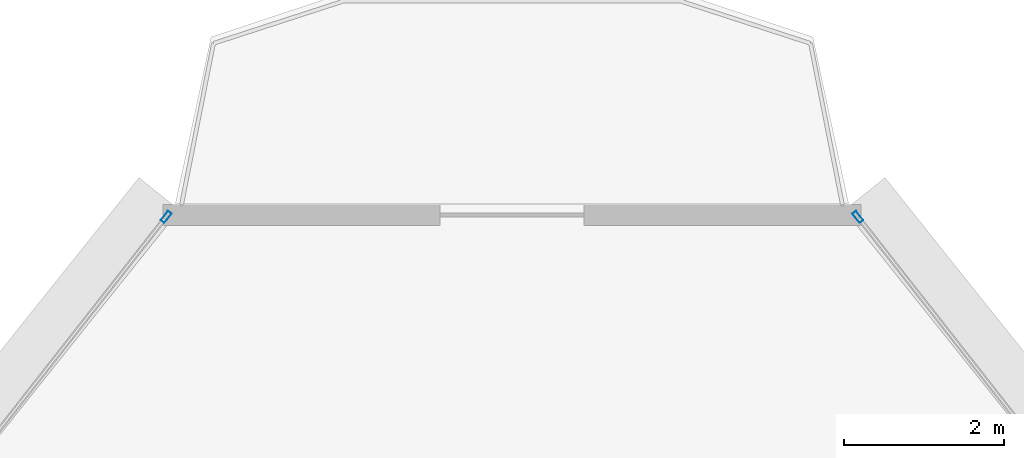
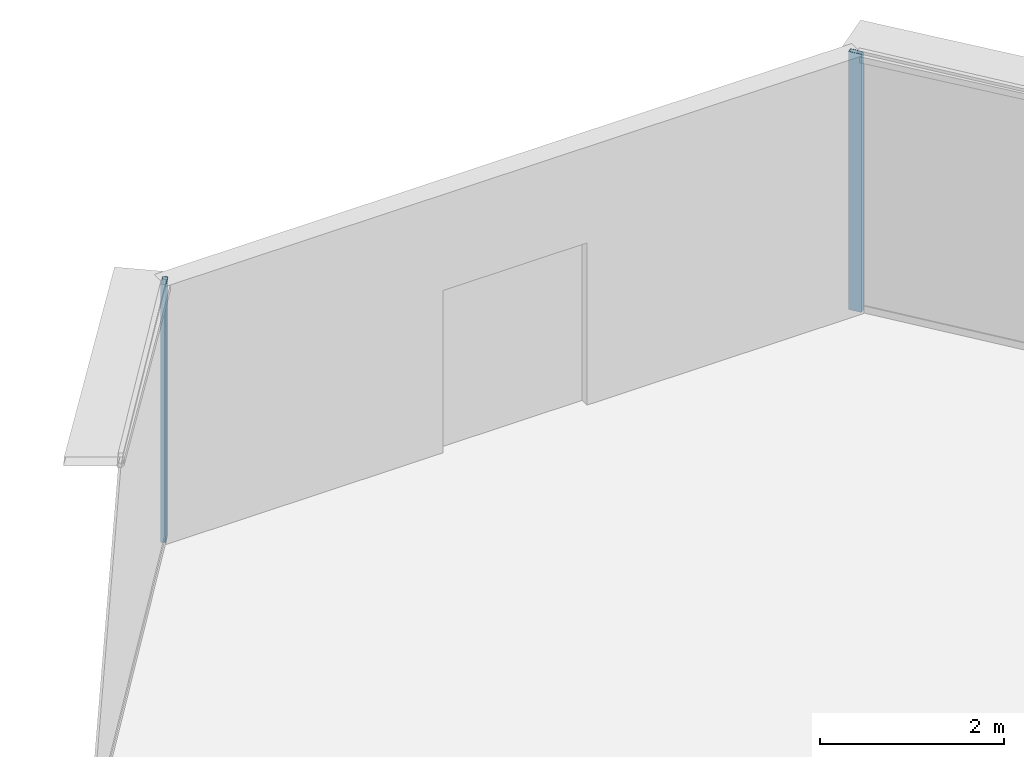
# One storey, part 30 of 42: 2 members, 2 elements without a shape of their own.
"""IFC4 building model written with IfcOpenShell, lengths in metres."""

from ifc_helpers import new_model, si_unit, direction, frame, origin, origin_2d, place, context, subcontext, project, spatial, hollow_rectangle, extrude, source, transform, mapped, material, layer, layer_set, material_profile, profile_set, type_object, element, aggregate, save


model = new_model("IFC4")

# Units and contexts
model_context = context("Model", 3, precision=1e-05, world=origin(), true_north=direction((0.0, 1.0)))
body_context = subcontext(model_context, "Body", "Model", "MODEL_VIEW")
ifc_project = project(units=[si_unit("LENGTHUNIT", "METRE"), si_unit("AREAUNIT", "SQUARE_METRE"), si_unit("VOLUMEUNIT", "CUBIC_METRE"), si_unit("PLANEANGLEUNIT", "RADIAN"), si_unit("MASSUNIT", "GRAM", prefix="KILO"), si_unit("THERMODYNAMICTEMPERATUREUNIT", "KELVIN"), si_unit("POWERUNIT", "WATT")], contexts=[model_context])

# Site, building, storey
site_placement = place(None, origin())
site = spatial("IfcSite", under=ifc_project, at=site_placement, CompositionType="ELEMENT")
building_placement = place(site_placement, origin())
building = spatial("IfcBuilding", under=site, at=building_placement, Name="Yunzhuo Pagoda Commons", CompositionType="ELEMENT")
storey_placement = place(building_placement, frame((0.0, 0.0, 151.909912109375)))
storey = spatial("IfcBuildingStorey", under=building, at=storey_placement, Name="L38", CompositionType="ELEMENT", Elevation=151.909912109375)

# Curtain wall, member
ifc_material = material(Name="Anodized aluminium 6063-T6", Category="aluminium")
ifc_layer = layer(ifc_material, 0.14990234375)
ifc_layer_set = layer_set([ifc_layer], Name="Anodized aluminium 6063-T6")
curtain_wall_type = type_object("IfcCurtainWallType", Name="CW-MID Mid-Zone Ribbon Curtain Wall", PredefinedType="NOTDEFINED", material=ifc_layer_set)
curtain_wall_1_placement = place(storey_placement, origin())
curtain_wall_1 = element("IfcCurtainWall", 1, at=curtain_wall_1_placement, inside=storey, type_object=curtain_wall_type, Name="L38 curtain wall CW-L38-F2B5", PredefinedType="NOTDEFINED")
ifc_material_profile = material_profile(ifc_material, hollow_rectangle(XDim=0.06005859375, YDim=0.14990234375, WallThickness=0.00390625, at=origin_2d()), Name="Anodized aluminium 6063-T6")
ifc_profile_set = profile_set([ifc_material_profile], Name="Anodized aluminium 6063-T6")
member_type = type_object("IfcMemberType", Name="CW-MID-M Mullion RHS 150x60x4", PredefinedType="MULLION", material=ifc_profile_set)
shared_shape = source(origin(), body_context, "Body", "SweptSolid", [
    extrude(hollow_rectangle(XDim=0.06005859375, YDim=0.14990234375, WallThickness=0.00390625, at=origin_2d()), origin(), (0.0, 0.0, 1.0), 3.420166015625),
])
member_1_placement = place(storey_placement, frame((52.33447265625, 84.389404296875, 0.0), z_axis=(0.0, 0.0, 1.0), x_axis=(-0.786759259697, -0.61725996734, 0.0)))
member_1 = element("IfcMember", 2, at=member_1_placement, type_object=member_type, Name="CW mullion 2", PredefinedType="MULLION", context=body_context, shape_type="MappedRepresentation", body=[
    mapped(shared_shape, transform((0.0, 0.0, 0.0), scale=1.0)),
])
aggregate(curtain_wall_1, [member_1])

curtain_wall_2_placement = place(storey_placement, origin())
curtain_wall_2 = element("IfcCurtainWall", 3, at=curtain_wall_2_placement, inside=storey, type_object=curtain_wall_type, Name="L38 curtain wall CW-L38-F3B1", PredefinedType="NOTDEFINED")
member_2_placement = place(storey_placement, frame((43.666015625, 84.389404296875, 0.0), z_axis=(0.0, 0.0, 1.0), x_axis=(0.786759259697, -0.61725996734, 0.0)))
member_2 = element("IfcMember", 4, at=member_2_placement, type_object=member_type, Name="CW mullion 1", PredefinedType="MULLION", context=body_context, shape_type="MappedRepresentation", body=[
    mapped(shared_shape, transform((0.0, 0.0, 0.0), scale=1.0)),
])
aggregate(curtain_wall_2, [member_2])

save(model, "model.ifc")
